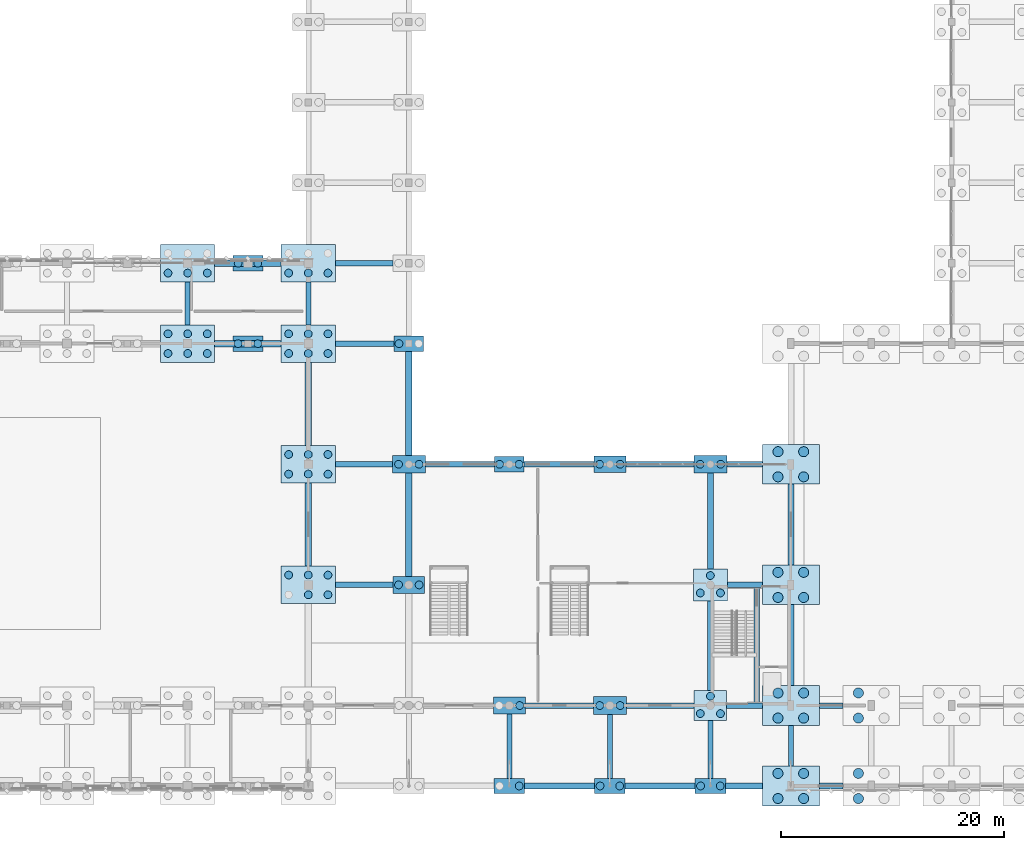
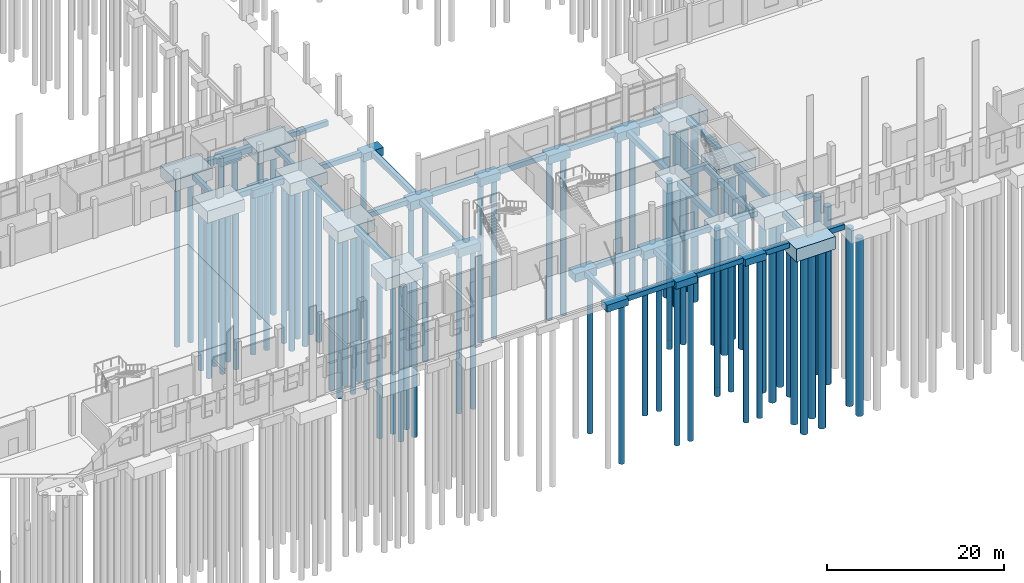
# One storey, part 3 of 109: 78 piles, 59 footings.
"""IFC4 building model written with IfcOpenShell, lengths in metres."""

from ifc_helpers import new_model, si_unit, direction, frame, origin, origin_2d, place, context, subcontext, project, spatial, rectangle, circle, extrude, material, material_profile, profile_set, type_object, element, save


model = new_model("IFC4")

# Units and contexts
model_context = context("Model", 3, precision=1e-05, world=origin(), true_north=direction((0.0, 1.0)))
body_context = subcontext(model_context, "Body", "Model", "MODEL_VIEW")
ifc_project = project(units=[si_unit("LENGTHUNIT", "METRE"), si_unit("AREAUNIT", "SQUARE_METRE"), si_unit("VOLUMEUNIT", "CUBIC_METRE"), si_unit("PLANEANGLEUNIT", "RADIAN"), si_unit("MASSUNIT", "GRAM", prefix="KILO")], contexts=[model_context])

# Site, building, storey
site_placement = place(None, origin())
site = spatial("IfcSite", under=ifc_project, at=site_placement, CompositionType="ELEMENT")
building_placement = place(site_placement, origin())
building = spatial("IfcBuilding", under=site, at=building_placement, Name="Lusvemor Sports Hall", CompositionType="ELEMENT")
storey_placement = place(building_placement, origin())
storey = spatial("IfcBuildingStorey", under=building, at=storey_placement, Name="L00", CompositionType="ELEMENT", Elevation=0.0)

# Footings
ifc_material_1 = material(Name="Concrete C40/50", Category="concrete")
ifc_material_profile_1 = material_profile(ifc_material_1, rectangle(XDim=0.449951171875, YDim=0.64990234375, at=origin_2d()), Name="GB_450x650")
ifc_profile_set_1 = profile_set([ifc_material_profile_1], Name="Concrete C40/50")
footing_type_1 = type_object("IfcFootingType", Name="GBEAM_450x650", PredefinedType="FOOTING_BEAM", material=ifc_profile_set_1)
for number, where, z_axis, x_axis, name in (
    (1, (64.800048828125, 41.27294921875, -0.625), (0.0, 1.0, 0.0), (-1.0, 0.0, 0.0), "Ground Tie Beam 7:E-F"),
    (2, (75.60009765625, 41.27294921875, -0.625), (0.0, 1.0, 0.0), (-1.0, 0.0, 0.0), "Ground Tie Beam 8:E-F"),
):
    element("IfcFooting", number, at=place(storey_placement, frame(where, z_axis=z_axis, x_axis=x_axis)), inside=storey, type_object=footing_type_1, Name=name, PredefinedType="FOOTING_BEAM", context=body_context, shape_type="SweptSolid", body=[
        extrude(rectangle(XDim=0.449951171875, YDim=0.64990234375, at=origin_2d()), origin(), (0.0, 0.0, 1.0), 3.85400390625),
    ])
footing_1_placement = place(storey_placement, frame((93.60009765625, 0.673095703125, -0.625), z_axis=(0.0, 1.0, 0.0), x_axis=(-1.0, 0.0, 0.0)))
element("IfcFooting", 3, at=footing_1_placement, inside=storey, type_object=footing_type_1, Name="Ground Tie Beam 10:A-B", PredefinedType="FOOTING_BEAM", context=body_context, shape_type="SweptSolid", body=[
    extrude(rectangle(XDim=0.449951171875, YDim=0.64990234375, at=origin_2d()), origin(), (0.0, 0.0, 1.0), 5.77880859375),
])
footing_2_placement = place(storey_placement, frame((102.60009765625, 0.673095703125, -0.625), z_axis=(0.0, 1.0, 0.0), x_axis=(-1.0, 0.0, 0.0)))
element("IfcFooting", 4, at=footing_2_placement, inside=storey, type_object=footing_type_1, Name="Ground Tie Beam 11:A-B", PredefinedType="FOOTING_BEAM", context=body_context, shape_type="SweptSolid", body=[
    extrude(rectangle(XDim=0.449951171875, YDim=0.64990234375, at=origin_2d()), origin(), (0.0, 0.0, 1.0), 5.72900390625),
])
footing_3_placement = place(storey_placement, frame((111.60009765625, 0.673095703125, -0.625), z_axis=(0.0, 1.0, 0.0), x_axis=(-1.0, 0.0, 0.0)))
element("IfcFooting", 5, at=footing_3_placement, inside=storey, type_object=footing_type_1, Name="Ground Tie Beam 12:A-B", PredefinedType="FOOTING_BEAM", context=body_context, shape_type="SweptSolid", body=[
    extrude(rectangle(XDim=0.449951171875, YDim=0.64990234375, at=origin_2d()), origin(), (0.0, 0.0, 1.0), 5.178955078125),
])
footing_4_placement = place(storey_placement, frame((118.800048828125, 1.77294921875, -0.625), z_axis=(0.0, 1.0, 0.0), x_axis=(-1.0, 0.0, 0.0)))
element("IfcFooting", 6, at=footing_4_placement, inside=storey, type_object=footing_type_1, Name="Ground Tie Beam 13:A-B", PredefinedType="FOOTING_BEAM", context=body_context, shape_type="SweptSolid", body=[
    extrude(rectangle(XDim=0.449951171875, YDim=0.64990234375, at=origin_2d()), origin(), (0.0, 0.0, 1.0), 3.654052734375),
])
ifc_material_2 = material(Name="Concrete C40/50", Category="concrete")
ifc_material_profile_2 = material_profile(ifc_material_2, rectangle(XDim=0.5, YDim=0.699951171875, at=origin_2d()), Name="GB_500x700")
ifc_profile_set_2 = profile_set([ifc_material_profile_2], Name="Concrete C40/50")
footing_type_2 = type_object("IfcFootingType", Name="GBEAM_500x700", PredefinedType="FOOTING_BEAM", material=ifc_profile_set_2)
for number, where, z_axis, x_axis, name in (
    (7, (94.972900390625, 0.0, -0.64990234375), (1.0, 0.0, 0.0), (0.0, 1.0, 0.0), "Ground Tie Beam A:10-11"),
    (8, (103.972900390625, 0.0, -0.64990234375), (1.0, 0.0, 0.0), (0.0, 1.0, 0.0), "Ground Tie Beam A:11-12"),
):
    element("IfcFooting", number, at=place(storey_placement, frame(where, z_axis=z_axis, x_axis=x_axis)), inside=storey, type_object=footing_type_2, Name=name, PredefinedType="FOOTING_BEAM", context=body_context, shape_type="SweptSolid", body=[
        extrude(rectangle(XDim=0.5, YDim=0.699951171875, at=origin_2d()), origin(), (0.0, 0.0, 1.0), 6.254150390625),
    ])
footing_5_placement = place(storey_placement, frame((112.972900390625, 0.0, -0.64990234375), z_axis=(1.0, 0.0, 0.0), x_axis=(0.0, 1.0, 0.0)))
element("IfcFooting", 9, at=footing_5_placement, inside=storey, type_object=footing_type_2, Name="Ground Tie Beam A:12-13", PredefinedType="FOOTING_BEAM", context=body_context, shape_type="SweptSolid", body=[
    extrude(rectangle(XDim=0.5, YDim=0.699951171875, at=origin_2d()), origin(), (0.0, 0.0, 1.0), 3.279052734375),
])
footing_6_placement = place(storey_placement, frame((121.347900390625, 0.0, -0.64990234375), z_axis=(1.0, 0.0, 0.0), x_axis=(0.0, 1.0, 0.0)))
element("IfcFooting", 10, at=footing_6_placement, inside=storey, type_object=footing_type_2, Name="Ground Tie Beam A:13-14", PredefinedType="FOOTING_BEAM", context=body_context, shape_type="SweptSolid", body=[
    extrude(rectangle(XDim=0.5, YDim=0.699951171875, at=origin_2d()), origin(), (0.0, 0.0, 1.0), 2.10400390625),
])
footing_7_placement = place(storey_placement, frame((95.02294921875, 7.199951171875, -0.64990234375), z_axis=(1.0, 0.0, 0.0), x_axis=(0.0, 1.0, 0.0)))
element("IfcFooting", 11, at=footing_7_placement, inside=storey, type_object=footing_type_2, Name="Ground Tie Beam B:10-11", PredefinedType="FOOTING_BEAM", context=body_context, shape_type="SweptSolid", body=[
    extrude(rectangle(XDim=0.5, YDim=0.699951171875, at=origin_2d()), origin(), (0.0, 0.0, 1.0), 6.10400390625),
])
footing_8_placement = place(storey_placement, frame((104.072998046875, 7.199951171875, -0.64990234375), z_axis=(1.0, 0.0, 0.0), x_axis=(0.0, 1.0, 0.0)))
element("IfcFooting", 12, at=footing_8_placement, inside=storey, type_object=footing_type_2, Name="Ground Tie Beam B:11-12", PredefinedType="FOOTING_BEAM", context=body_context, shape_type="SweptSolid", body=[
    extrude(rectangle(XDim=0.5, YDim=0.699951171875, at=origin_2d()), origin(), (0.0, 0.0, 1.0), 6.0791015625),
])
footing_9_placement = place(storey_placement, frame((113.048095703125, 7.199951171875, -0.64990234375), z_axis=(1.0, 0.0, 0.0), x_axis=(0.0, 1.0, 0.0)))
element("IfcFooting", 13, at=footing_9_placement, inside=storey, type_object=footing_type_2, Name="Ground Tie Beam B:12-13", PredefinedType="FOOTING_BEAM", context=body_context, shape_type="SweptSolid", body=[
    extrude(rectangle(XDim=0.5, YDim=0.699951171875, at=origin_2d()), origin(), (0.0, 0.0, 1.0), 3.203857421875),
])
footing_10_placement = place(storey_placement, frame((121.347900390625, 7.199951171875, -0.64990234375), z_axis=(1.0, 0.0, 0.0), x_axis=(0.0, 1.0, 0.0)))
element("IfcFooting", 14, at=footing_10_placement, inside=storey, type_object=footing_type_2, Name="Ground Tie Beam B:13-14", PredefinedType="FOOTING_BEAM", context=body_context, shape_type="SweptSolid", body=[
    extrude(rectangle(XDim=0.5, YDim=0.699951171875, at=origin_2d()), origin(), (0.0, 0.0, 1.0), 2.10400390625),
])
footing_11_placement = place(storey_placement, frame((78.02294921875, 18.0, -0.64990234375), z_axis=(1.0, 0.0, 0.0), x_axis=(0.0, 1.0, 0.0)))
element("IfcFooting", 15, at=footing_11_placement, inside=storey, type_object=footing_type_2, Name="Ground Tie Beam C:8-9", PredefinedType="FOOTING_BEAM", context=body_context, shape_type="SweptSolid", body=[
    extrude(rectangle(XDim=0.5, YDim=0.699951171875, at=origin_2d()), origin(), (0.0, 0.0, 1.0), 5.154052734375),
])
footing_12_placement = place(storey_placement, frame((113.123046875, 18.0, -0.64990234375), z_axis=(1.0, 0.0, 0.0), x_axis=(0.0, 1.0, 0.0)))
element("IfcFooting", 16, at=footing_12_placement, inside=storey, type_object=footing_type_2, Name="Ground Tie Beam C:12-13", PredefinedType="FOOTING_BEAM", context=body_context, shape_type="SweptSolid", body=[
    extrude(rectangle(XDim=0.5, YDim=0.699951171875, at=origin_2d()), origin(), (0.0, 0.0, 1.0), 3.12890625),
])
footing_13_placement = place(storey_placement, frame((78.02294921875, 28.800048828125, -0.64990234375), z_axis=(1.0, 0.0, 0.0), x_axis=(0.0, 1.0, 0.0)))
element("IfcFooting", 17, at=footing_13_placement, inside=storey, type_object=footing_type_2, Name="Ground Tie Beam D:8-9", PredefinedType="FOOTING_BEAM", context=body_context, shape_type="SweptSolid", body=[
    extrude(rectangle(XDim=0.5, YDim=0.699951171875, at=origin_2d()), origin(), (0.0, 0.0, 1.0), 5.10400390625),
])
footing_14_placement = place(storey_placement, frame((86.072998046875, 28.800048828125, -0.64990234375), z_axis=(1.0, 0.0, 0.0), x_axis=(0.0, 1.0, 0.0)))
element("IfcFooting", 18, at=footing_14_placement, inside=storey, type_object=footing_type_2, Name="Ground Tie Beam D:9-10", PredefinedType="FOOTING_BEAM", context=body_context, shape_type="SweptSolid", body=[
    extrude(rectangle(XDim=0.5, YDim=0.699951171875, at=origin_2d()), origin(), (0.0, 0.0, 1.0), 6.2041015625),
])
footing_15_placement = place(storey_placement, frame((94.923095703125, 28.800048828125, -0.64990234375), z_axis=(1.0, 0.0, 0.0), x_axis=(0.0, 1.0, 0.0)))
element("IfcFooting", 19, at=footing_15_placement, inside=storey, type_object=footing_type_2, Name="Ground Tie Beam D:10-11", PredefinedType="FOOTING_BEAM", context=body_context, shape_type="SweptSolid", body=[
    extrude(rectangle(XDim=0.5, YDim=0.699951171875, at=origin_2d()), origin(), (0.0, 0.0, 1.0), 6.25390625),
])
footing_16_placement = place(storey_placement, frame((104.02294921875, 28.800048828125, -0.64990234375), z_axis=(1.0, 0.0, 0.0), x_axis=(0.0, 1.0, 0.0)))
element("IfcFooting", 20, at=footing_16_placement, inside=storey, type_object=footing_type_2, Name="Ground Tie Beam D:11-12", PredefinedType="FOOTING_BEAM", context=body_context, shape_type="SweptSolid", body=[
    extrude(rectangle(XDim=0.5, YDim=0.699951171875, at=origin_2d()), origin(), (0.0, 0.0, 1.0), 6.10400390625),
])
footing_17_placement = place(storey_placement, frame((113.072998046875, 28.800048828125, -0.64990234375), z_axis=(1.0, 0.0, 0.0), x_axis=(0.0, 1.0, 0.0)))
element("IfcFooting", 21, at=footing_17_placement, inside=storey, type_object=footing_type_2, Name="Ground Tie Beam D:12-13", PredefinedType="FOOTING_BEAM", context=body_context, shape_type="SweptSolid", body=[
    extrude(rectangle(XDim=0.5, YDim=0.699951171875, at=origin_2d()), origin(), (0.0, 0.0, 1.0), 3.178955078125),
])
footing_18_placement = place(storey_placement, frame((78.02294921875, 39.60009765625, -0.64990234375), z_axis=(1.0, 0.0, 0.0), x_axis=(0.0, 1.0, 0.0)))
element("IfcFooting", 22, at=footing_18_placement, inside=storey, type_object=footing_type_2, Name="Ground Tie Beam E:8-9", PredefinedType="FOOTING_BEAM", context=body_context, shape_type="SweptSolid", body=[
    extrude(rectangle(XDim=0.5, YDim=0.699951171875, at=origin_2d()), origin(), (0.0, 0.0, 1.0), 5.254150390625),
])
footing_19_placement = place(storey_placement, frame((78.02294921875, 46.800048828125, -0.64990234375), z_axis=(1.0, 0.0, 0.0), x_axis=(0.0, 1.0, 0.0)))
element("IfcFooting", 23, at=footing_19_placement, inside=storey, type_object=footing_type_2, Name="Ground Tie Beam F:8-9", PredefinedType="FOOTING_BEAM", context=body_context, shape_type="SweptSolid", body=[
    extrude(rectangle(XDim=0.5, YDim=0.699951171875, at=origin_2d()), origin(), (0.0, 0.0, 1.0), 5.154052734375),
])
footing_20_placement = place(storey_placement, frame((115.75, 7.199951171875, -0.64990234375), z_axis=(0.0, 1.0, 0.0), x_axis=(-1.0, 0.0, 0.0)))
element("IfcFooting", 24, at=footing_20_placement, inside=storey, type_object=footing_type_2, Name="Core C7 Central Foyer Divider Ground Beam", PredefinedType="FOOTING_BEAM", context=body_context, shape_type="SweptSolid", body=[
    extrude(rectangle(XDim=0.5, YDim=0.699951171875, at=origin_2d()), origin(), (0.0, 0.0, 1.0), 10.800048828125),
])
ifc_material_3 = material(Name="Concrete C40/50", Category="concrete")
ifc_material_profile_3 = material_profile(ifc_material_3, rectangle(XDim=0.550048828125, YDim=0.75, at=origin_2d()), Name="GB_550x750")
ifc_profile_set_3 = profile_set([ifc_material_profile_3], Name="Concrete C40/50")
footing_type_3 = type_object("IfcFootingType", Name="GBEAM_550x750", PredefinedType="FOOTING_BEAM", material=ifc_profile_set_3)
footing_21_placement = place(storey_placement, frame((75.60009765625, 19.673095703125, -0.675048828125), z_axis=(0.0, 1.0, 0.0), x_axis=(-1.0, 0.0, 0.0)))
element("IfcFooting", 25, at=footing_21_placement, inside=storey, type_object=footing_type_3, Name="Ground Tie Beam 8:C-D", PredefinedType="FOOTING_BEAM", context=body_context, shape_type="SweptSolid", body=[
    extrude(rectangle(XDim=0.550048828125, YDim=0.75, at=origin_2d()), origin(), (0.0, 0.0, 1.0), 7.453857421875),
])
footing_22_placement = place(storey_placement, frame((75.60009765625, 30.472900390625, -0.675048828125), z_axis=(0.0, 1.0, 0.0), x_axis=(-1.0, 0.0, 0.0)))
element("IfcFooting", 26, at=footing_22_placement, inside=storey, type_object=footing_type_3, Name="Ground Tie Beam 8:D-E", PredefinedType="FOOTING_BEAM", context=body_context, shape_type="SweptSolid", body=[
    extrude(rectangle(XDim=0.550048828125, YDim=0.75, at=origin_2d()), origin(), (0.0, 0.0, 1.0), 7.4541015625),
])
footing_23_placement = place(storey_placement, frame((84.60009765625, 18.748046875, -0.675048828125), z_axis=(0.0, 1.0, 0.0), x_axis=(-1.0, 0.0, 0.0)))
element("IfcFooting", 27, at=footing_23_placement, inside=storey, type_object=footing_type_3, Name="Ground Tie Beam 9:C-D", PredefinedType="FOOTING_BEAM", context=body_context, shape_type="SweptSolid", body=[
    extrude(rectangle(XDim=0.550048828125, YDim=0.75, at=origin_2d()), origin(), (0.0, 0.0, 1.0), 9.25390625),
])
footing_24_placement = place(storey_placement, frame((84.60009765625, 29.597900390625, -0.675048828125), z_axis=(0.0, 1.0, 0.0), x_axis=(-1.0, 0.0, 0.0)))
element("IfcFooting", 28, at=footing_24_placement, inside=storey, type_object=footing_type_3, Name="Ground Tie Beam 9:D-E", PredefinedType="FOOTING_BEAM", context=body_context, shape_type="SweptSolid", body=[
    extrude(rectangle(XDim=0.550048828125, YDim=0.75, at=origin_2d()), origin(), (0.0, 0.0, 1.0), 9.30419921875),
])
footing_25_placement = place(storey_placement, frame((111.60009765625, 8.548095703125, -0.675048828125), z_axis=(0.0, 1.0, 0.0), x_axis=(-1.0, 0.0, 0.0)))
element("IfcFooting", 29, at=footing_25_placement, inside=storey, type_object=footing_type_3, Name="Ground Tie Beam 12:B-C", PredefinedType="FOOTING_BEAM", context=body_context, shape_type="SweptSolid", body=[
    extrude(rectangle(XDim=0.550048828125, YDim=0.75, at=origin_2d()), origin(), (0.0, 0.0, 1.0), 8.02880859375),
])
footing_26_placement = place(storey_placement, frame((111.60009765625, 19.423095703125, -0.675048828125), z_axis=(0.0, 1.0, 0.0), x_axis=(-1.0, 0.0, 0.0)))
element("IfcFooting", 30, at=footing_26_placement, inside=storey, type_object=footing_type_3, Name="Ground Tie Beam 12:C-D", PredefinedType="FOOTING_BEAM", context=body_context, shape_type="SweptSolid", body=[
    extrude(rectangle(XDim=0.550048828125, YDim=0.75, at=origin_2d()), origin(), (0.0, 0.0, 1.0), 8.578857421875),
])
for number, where, z_axis, x_axis, name in (
    (31, (118.800048828125, 8.972900390625, -0.675048828125), (0.0, 1.0, 0.0), (-1.0, 0.0, 0.0), "Ground Tie Beam 13:B-C"),
    (32, (118.800048828125, 19.77294921875, -0.675048828125), (0.0, 1.0, 0.0), (-1.0, 0.0, 0.0), "Ground Tie Beam 13:C-D"),
):
    element("IfcFooting", number, at=place(storey_placement, frame(where, z_axis=z_axis, x_axis=x_axis)), inside=storey, type_object=footing_type_3, Name=name, PredefinedType="FOOTING_BEAM", context=body_context, shape_type="SweptSolid", body=[
        extrude(rectangle(XDim=0.550048828125, YDim=0.75, at=origin_2d()), origin(), (0.0, 0.0, 1.0), 7.254150390625),
    ])
ifc_material_4 = material(Name="Concrete C40/50", Category="concrete")
ifc_material_profile_4 = material_profile(ifc_material_4, rectangle(XDim=0.60009765625, YDim=0.800048828125, at=origin_2d()), Name="GB_600x800")
ifc_profile_set_4 = profile_set([ifc_material_profile_4], Name="Concrete C40/50")
footing_type_4 = type_object("IfcFootingType", Name="GBEAM_600x800", PredefinedType="FOOTING_BEAM", material=ifc_profile_set_4)
for number, where, z_axis, x_axis, name in (
    (33, (67.222900390625, 39.60009765625, -0.699951171875), (1.0, 0.0, 0.0), (0.0, 1.0, 0.0), "Ground Tie Beam E:7-8"),
    (34, (67.222900390625, 46.800048828125, -0.699951171875), (1.0, 0.0, 0.0), (0.0, 1.0, 0.0), "Ground Tie Beam F:7-8"),
):
    element("IfcFooting", number, at=place(storey_placement, frame(where, z_axis=z_axis, x_axis=x_axis)), inside=storey, type_object=footing_type_4, Name=name, PredefinedType="FOOTING_BEAM", context=body_context, shape_type="SweptSolid", body=[
        extrude(rectangle(XDim=0.60009765625, YDim=0.800048828125, at=origin_2d()), origin(), (0.0, 0.0, 1.0), 5.9541015625),
    ])
ifc_material_5 = material(Name="Concrete C40/50", Category="concrete")
footing_type_5 = type_object("IfcFootingType", Name="PCAP_2P_A", PredefinedType="PILE_CAP", material=ifc_material_5)
for number, where, z_axis, x_axis, name in (
    (35, (84.60009765625, 39.60009765625, -1.400146484375), (0.0, 0.0, 1.0), (1.0, 0.0, 0.0), "Pile Cap 9/E"),
    (36, (93.60009765625, 28.800048828125, -1.400146484375), (0.0, 0.0, 1.0), (1.0, 0.0, 0.0), "Pile Cap 10/D"),
    (37, (70.199951171875, 46.800048828125, -1.400146484375), (0.0, 0.0, 1.0), (1.0, 0.0, 0.0), "Wave Courtyard Cap N7"),
    (38, (70.199951171875, 39.60009765625, -1.400146484375), (0.0, 0.0, 1.0), (1.0, 0.0, 0.0), "Wave Mid-Bay Cap N7"),
):
    element("IfcFooting", number, at=place(storey_placement, frame(where, z_axis=z_axis, x_axis=x_axis)), inside=storey, type_object=footing_type_5, Name=name, PredefinedType="PILE_CAP", context=body_context, shape_type="SweptSolid", body=[
        extrude(rectangle(XDim=2.64990234375, YDim=1.39990234375, at=origin_2d()), origin(), (0.0, 0.0, 1.0), 1.10009765625),
    ])
ifc_material_6 = material(Name="Concrete C40/50", Category="concrete")
footing_type_6 = type_object("IfcFootingType", Name="PCAP_2P_B", PredefinedType="PILE_CAP", material=ifc_material_6)
for number, where, z_axis, x_axis, name in (
    (39, (84.60009765625, 18.0, -1.449951171875), (0.0, 0.0, 1.0), (1.0, 0.0, 0.0), "Pile Cap 9/C"),
    (40, (93.60009765625, 7.199951171875, -1.449951171875), (0.0, 0.0, 1.0), (1.0, 0.0, 0.0), "Pile Cap 10/B"),
    (41, (102.60009765625, 28.800048828125, -1.449951171875), (0.0, 0.0, 1.0), (1.0, 0.0, 0.0), "Pile Cap 11/D"),
):
    element("IfcFooting", number, at=place(storey_placement, frame(where, z_axis=z_axis, x_axis=x_axis)), inside=storey, type_object=footing_type_6, Name=name, PredefinedType="PILE_CAP", context=body_context, shape_type="SweptSolid", body=[
        extrude(rectangle(XDim=2.85009765625, YDim=1.5, at=origin_2d()), origin(), (0.0, 0.0, 1.0), 1.14990234375),
    ])
ifc_material_7 = material(Name="Concrete C40/50", Category="concrete")
footing_type_7 = type_object("IfcFootingType", Name="PCAP_2P_C", PredefinedType="PILE_CAP", material=ifc_material_7)
for number, where, z_axis, x_axis, name in (
    (42, (84.60009765625, 28.800048828125, -1.5), (0.0, 0.0, 1.0), (1.0, 0.0, 0.0), "Pile Cap 9/D"),
    (43, (102.60009765625, 7.199951171875, -1.5), (0.0, 0.0, 1.0), (1.0, 0.0, 0.0), "Pile Cap 11/B"),
    (44, (111.60009765625, 28.800048828125, -1.5), (0.0, 0.0, 1.0), (1.0, 0.0, 0.0), "Pile Cap 12/D"),
):
    element("IfcFooting", number, at=place(storey_placement, frame(where, z_axis=z_axis, x_axis=x_axis)), inside=storey, type_object=footing_type_7, Name=name, PredefinedType="PILE_CAP", context=body_context, shape_type="SweptSolid", body=[
        extrude(rectangle(XDim=2.949951171875, YDim=1.60009765625, at=origin_2d()), origin(), (0.0, 0.0, 1.0), 1.199951171875),
    ])
ifc_material_8 = material(Name="Concrete C40/50", Category="concrete")
footing_type_8 = type_object("IfcFootingType", Name="PCAP_2P_CAN", PredefinedType="PILE_CAP", material=ifc_material_8)
for number, where, z_axis, x_axis, name in (
    (45, (93.60009765625, 0.0, -1.25), (0.0, 0.0, 1.0), (1.0, 0.0, 0.0), "Pile Cap 10/A"),
    (46, (102.60009765625, 0.0, -1.25), (0.0, 0.0, 1.0), (1.0, 0.0, 0.0), "Pile Cap 11/A"),
    (47, (111.60009765625, 0.0, -1.25), (0.0, 0.0, 1.0), (1.0, 0.0, 0.0), "Pile Cap 12/A"),
):
    element("IfcFooting", number, at=place(storey_placement, frame(where, z_axis=z_axis, x_axis=x_axis)), inside=storey, type_object=footing_type_8, Name=name, PredefinedType="PILE_CAP", context=body_context, shape_type="SweptSolid", body=[
        extrude(rectangle(XDim=2.75, YDim=1.35009765625, at=origin_2d()), origin(), (0.0, 0.0, 1.0), 0.949951171875),
    ])
ifc_material_9 = material(Name="Concrete C40/50", Category="concrete")
footing_type_9 = type_object("IfcFootingType", Name="PCAP_3P_A", PredefinedType="PILE_CAP", material=ifc_material_9)
footing_27_placement = place(storey_placement, frame((111.60009765625, 7.199951171875, -1.550048828125), z_axis=(0.0, 0.0, 1.0), x_axis=(1.0, 0.0, 0.0)))
element("IfcFooting", 48, at=footing_27_placement, inside=storey, type_object=footing_type_9, Name="Pile Cap 12/B", PredefinedType="PILE_CAP", context=body_context, shape_type="SweptSolid", body=[
    extrude(rectangle(XDim=2.89990234375, YDim=2.699951171875, at=origin_2d()), origin(), (0.0, 0.0, 1.0), 1.25),
])
ifc_material_10 = material(Name="Concrete C40/50", Category="concrete")
footing_type_10 = type_object("IfcFootingType", Name="PCAP_3P_B", PredefinedType="PILE_CAP", material=ifc_material_10)
footing_28_placement = place(storey_placement, frame((111.60009765625, 18.0, -1.60009765625), z_axis=(0.0, 0.0, 1.0), x_axis=(1.0, 0.0, 0.0)))
element("IfcFooting", 49, at=footing_28_placement, inside=storey, type_object=footing_type_10, Name="Pile Cap 12/C", PredefinedType="PILE_CAP", context=body_context, shape_type="SweptSolid", body=[
    extrude(rectangle(XDim=3.050048828125, YDim=2.85009765625, at=origin_2d()), origin(), (0.0, 0.0, 1.0), 1.300048828125),
])
ifc_material_11 = material(Name="Concrete C40/50", Category="concrete")
footing_type_11 = type_object("IfcFootingType", Name="PCAP_4P_PT", PredefinedType="PILE_CAP", material=ifc_material_11)
for number, where, z_axis, x_axis, name in (
    (50, (118.800048828125, 0.0, -2.050048828125), (0.0, 0.0, 1.0), (1.0, 0.0, 0.0), "Pile Cap 13/A"),
    (51, (118.800048828125, 7.199951171875, -2.050048828125), (0.0, 0.0, 1.0), (1.0, 0.0, 0.0), "Pile Cap 13/B"),
    (52, (118.800048828125, 18.0, -2.050048828125), (0.0, 0.0, 1.0), (1.0, 0.0, 0.0), "Pile Cap 13/C"),
    (53, (118.800048828125, 28.800048828125, -2.050048828125), (0.0, 0.0, 1.0), (1.0, 0.0, 0.0), "Pile Cap 13/D"),
):
    element("IfcFooting", number, at=place(storey_placement, frame(where, z_axis=z_axis, x_axis=x_axis)), inside=storey, type_object=footing_type_11, Name=name, PredefinedType="PILE_CAP", context=body_context, shape_type="SweptSolid", body=[
        extrude(rectangle(XDim=5.10009765625, YDim=3.550048828125, at=origin_2d()), origin(), (0.0, 0.0, 1.0), 1.75),
    ])
ifc_material_12 = material(Name="Concrete C40/50", Category="concrete")
footing_type_12 = type_object("IfcFootingType", Name="PCAP_6P_HALL", PredefinedType="PILE_CAP", material=ifc_material_12)
for number, where, z_axis, x_axis, name in (
    (54, (64.800048828125, 39.60009765625, -1.949951171875), (0.0, 0.0, 1.0), (1.0, 0.0, 0.0), "Pile Cap 7/E"),
    (55, (64.800048828125, 46.800048828125, -1.949951171875), (0.0, 0.0, 1.0), (1.0, 0.0, 0.0), "Pile Cap 7/F"),
    (56, (75.60009765625, 18.0, -1.949951171875), (0.0, 0.0, 1.0), (1.0, 0.0, 0.0), "Pile Cap 8/C"),
    (57, (75.60009765625, 28.800048828125, -1.949951171875), (0.0, 0.0, 1.0), (1.0, 0.0, 0.0), "Pile Cap 8/D"),
    (58, (75.60009765625, 39.60009765625, -1.949951171875), (0.0, 0.0, 1.0), (1.0, 0.0, 0.0), "Pile Cap 8/E"),
    (59, (75.60009765625, 46.800048828125, -1.949951171875), (0.0, 0.0, 1.0), (1.0, 0.0, 0.0), "Pile Cap 8/F"),
):
    element("IfcFooting", number, at=place(storey_placement, frame(where, z_axis=z_axis, x_axis=x_axis)), inside=storey, type_object=footing_type_12, Name=name, PredefinedType="PILE_CAP", context=body_context, shape_type="SweptSolid", body=[
        extrude(rectangle(XDim=4.85009765625, YDim=3.35009765625, at=origin_2d()), origin(), (0.0, 0.0, 1.0), 1.64990234375),
    ])

# Piles
ifc_material_13 = material(Name="Concrete C40/50", Category="concrete")
ifc_material_profile_5 = material_profile(ifc_material_13, circle(Radius=0.35009765625, at=origin_2d()), Name="PILE700")
ifc_profile_set_5 = profile_set([ifc_material_profile_5], Name="Concrete C40/50")
pile_type_1 = type_object("IfcPileType", Name="PILE_BORED_700", PredefinedType="BORED", material=ifc_profile_set_5)
for number, where, z_axis, x_axis, name in (
    (60, (63.0400390625, 38.719970703125, -1.85009765625), (0.0, 0.0, -1.0), (1.0, 0.0, 0.0), "Bored Pile 7/E-1"),
    (61, (64.800048828125, 38.719970703125, -1.85009765625), (0.0, 0.0, -1.0), (1.0, 0.0, 0.0), "Bored Pile 7/E-2"),
    (62, (66.56005859375, 38.719970703125, -1.85009765625), (0.0, 0.0, -1.0), (1.0, 0.0, 0.0), "Bored Pile 7/E-3"),
    (63, (63.0400390625, 40.47998046875, -1.85009765625), (0.0, 0.0, -1.0), (1.0, 0.0, 0.0), "Bored Pile 7/E-4"),
    (64, (64.800048828125, 40.47998046875, -1.85009765625), (0.0, 0.0, -1.0), (1.0, 0.0, 0.0), "Bored Pile 7/E-5"),
    (65, (66.56005859375, 40.47998046875, -1.85009765625), (0.0, 0.0, -1.0), (1.0, 0.0, 0.0), "Bored Pile 7/E-6"),
    (66, (63.0400390625, 45.919921875, -1.85009765625), (0.0, 0.0, -1.0), (1.0, 0.0, 0.0), "Bored Pile 7/F-1"),
    (67, (64.800048828125, 45.919921875, -1.85009765625), (0.0, 0.0, -1.0), (1.0, 0.0, 0.0), "Bored Pile 7/F-2"),
    (68, (66.56005859375, 45.919921875, -1.85009765625), (0.0, 0.0, -1.0), (1.0, 0.0, 0.0), "Bored Pile 7/F-3"),
    (69, (75.60009765625, 17.1201171875, -1.85009765625), (0.0, 0.0, -1.0), (1.0, 0.0, 0.0), "Bored Pile 8/C-2"),
    (70, (77.360107421875, 17.1201171875, -1.85009765625), (0.0, 0.0, -1.0), (1.0, 0.0, 0.0), "Bored Pile 8/C-3"),
    (71, (73.840087890625, 18.8798828125, -1.85009765625), (0.0, 0.0, -1.0), (1.0, 0.0, 0.0), "Bored Pile 8/C-4"),
    (72, (75.60009765625, 18.8798828125, -1.85009765625), (0.0, 0.0, -1.0), (1.0, 0.0, 0.0), "Bored Pile 8/C-5"),
    (73, (77.360107421875, 18.8798828125, -1.85009765625), (0.0, 0.0, -1.0), (1.0, 0.0, 0.0), "Bored Pile 8/C-6"),
    (74, (73.840087890625, 27.919921875, -1.85009765625), (0.0, 0.0, -1.0), (1.0, 0.0, 0.0), "Bored Pile 8/D-1"),
    (75, (75.60009765625, 27.919921875, -1.85009765625), (0.0, 0.0, -1.0), (1.0, 0.0, 0.0), "Bored Pile 8/D-2"),
    (76, (77.360107421875, 27.919921875, -1.85009765625), (0.0, 0.0, -1.0), (1.0, 0.0, 0.0), "Bored Pile 8/D-3"),
    (77, (73.840087890625, 29.679931640625, -1.85009765625), (0.0, 0.0, -1.0), (1.0, 0.0, 0.0), "Bored Pile 8/D-4"),
    (78, (75.60009765625, 29.679931640625, -1.85009765625), (0.0, 0.0, -1.0), (1.0, 0.0, 0.0), "Bored Pile 8/D-5"),
    (79, (77.360107421875, 29.679931640625, -1.85009765625), (0.0, 0.0, -1.0), (1.0, 0.0, 0.0), "Bored Pile 8/D-6"),
    (80, (73.840087890625, 38.719970703125, -1.85009765625), (0.0, 0.0, -1.0), (1.0, 0.0, 0.0), "Bored Pile 8/E-1"),
    (81, (75.60009765625, 38.719970703125, -1.85009765625), (0.0, 0.0, -1.0), (1.0, 0.0, 0.0), "Bored Pile 8/E-2"),
    (82, (77.360107421875, 38.719970703125, -1.85009765625), (0.0, 0.0, -1.0), (1.0, 0.0, 0.0), "Bored Pile 8/E-3"),
    (83, (73.840087890625, 40.47998046875, -1.85009765625), (0.0, 0.0, -1.0), (1.0, 0.0, 0.0), "Bored Pile 8/E-4"),
    (84, (75.60009765625, 40.47998046875, -1.85009765625), (0.0, 0.0, -1.0), (1.0, 0.0, 0.0), "Bored Pile 8/E-5"),
    (85, (77.360107421875, 40.47998046875, -1.85009765625), (0.0, 0.0, -1.0), (1.0, 0.0, 0.0), "Bored Pile 8/E-6"),
    (86, (73.840087890625, 45.919921875, -1.85009765625), (0.0, 0.0, -1.0), (1.0, 0.0, 0.0), "Bored Pile 8/F-1"),
    (87, (75.60009765625, 45.919921875, -1.85009765625), (0.0, 0.0, -1.0), (1.0, 0.0, 0.0), "Bored Pile 8/F-2"),
    (88, (77.360107421875, 45.919921875, -1.85009765625), (0.0, 0.0, -1.0), (1.0, 0.0, 0.0), "Bored Pile 8/F-3"),
    (89, (83.679931640625, 18.0, -1.35009765625), (0.0, 0.0, -1.0), (1.0, 0.0, 0.0), "Bored Pile 9/C-1"),
    (90, (85.52001953125, 18.0, -1.35009765625), (0.0, 0.0, -1.0), (1.0, 0.0, 0.0), "Bored Pile 9/C-2"),
    (91, (83.679931640625, 28.800048828125, -1.39990234375), (0.0, 0.0, -1.0), (1.0, 0.0, 0.0), "Bored Pile 9/D-1"),
    (92, (85.52001953125, 28.800048828125, -1.39990234375), (0.0, 0.0, -1.0), (1.0, 0.0, 0.0), "Bored Pile 9/D-2"),
    (93, (83.719970703125, 39.60009765625, -1.300048828125), (0.0, 0.0, -1.0), (1.0, 0.0, 0.0), "Bored Pile 9/E-1"),
    (94, (94.47998046875, 0.0, -1.14990234375), (0.0, 0.0, -1.0), (1.0, 0.0, 0.0), "Bored Pile 10/A-2"),
    (95, (94.52001953125, 7.199951171875, -1.35009765625), (0.0, 0.0, -1.0), (1.0, 0.0, 0.0), "Bored Pile 10/B-2"),
    (96, (92.719970703125, 28.800048828125, -1.300048828125), (0.0, 0.0, -1.0), (1.0, 0.0, 0.0), "Bored Pile 10/D-1"),
    (97, (94.47998046875, 28.800048828125, -1.300048828125), (0.0, 0.0, -1.0), (1.0, 0.0, 0.0), "Bored Pile 10/D-2"),
    (98, (101.719970703125, 0.0, -1.14990234375), (0.0, 0.0, -1.0), (1.0, 0.0, 0.0), "Bored Pile 11/A-1"),
    (99, (103.47998046875, 0.0, -1.14990234375), (0.0, 0.0, -1.0), (1.0, 0.0, 0.0), "Bored Pile 11/A-2"),
    (100, (101.679931640625, 7.199951171875, -1.39990234375), (0.0, 0.0, -1.0), (1.0, 0.0, 0.0), "Bored Pile 11/B-1"),
    (101, (103.52001953125, 7.199951171875, -1.39990234375), (0.0, 0.0, -1.0), (1.0, 0.0, 0.0), "Bored Pile 11/B-2"),
    (102, (101.679931640625, 28.800048828125, -1.35009765625), (0.0, 0.0, -1.0), (1.0, 0.0, 0.0), "Bored Pile 11/D-1"),
    (103, (103.52001953125, 28.800048828125, -1.35009765625), (0.0, 0.0, -1.0), (1.0, 0.0, 0.0), "Bored Pile 11/D-2"),
    (104, (110.719970703125, 0.0, -1.14990234375), (0.0, 0.0, -1.0), (1.0, 0.0, 0.0), "Bored Pile 12/A-1"),
    (105, (112.47998046875, 0.0, -1.14990234375), (0.0, 0.0, -1.0), (1.0, 0.0, 0.0), "Bored Pile 12/A-2"),
    (106, (110.699951171875, 6.47998046875, -1.449951171875), (0.0, 0.0, -1.0), (1.0, 0.0, 0.0), "Bored Pile 12/B-1"),
    (107, (112.5, 6.47998046875, -1.449951171875), (0.0, 0.0, -1.0), (1.0, 0.0, 0.0), "Bored Pile 12/B-2"),
    (108, (111.60009765625, 8.0400390625, -1.449951171875), (0.0, 0.0, -1.0), (1.0, 0.0, 0.0), "Bored Pile 12/B-3"),
    (109, (110.699951171875, 17.280029296875, -1.5), (0.0, 0.0, -1.0), (1.0, 0.0, 0.0), "Bored Pile 12/C-1"),
    (110, (112.5, 17.280029296875, -1.5), (0.0, 0.0, -1.0), (1.0, 0.0, 0.0), "Bored Pile 12/C-2"),
    (111, (111.60009765625, 18.840087890625, -1.5), (0.0, 0.0, -1.0), (1.0, 0.0, 0.0), "Bored Pile 12/C-3"),
    (112, (110.679931640625, 28.800048828125, -1.39990234375), (0.0, 0.0, -1.0), (1.0, 0.0, 0.0), "Bored Pile 12/D-1"),
    (113, (112.52001953125, 28.800048828125, -1.39990234375), (0.0, 0.0, -1.0), (1.0, 0.0, 0.0), "Bored Pile 12/D-2"),
    (114, (69.320068359375, 46.800048828125, -1.300048828125), (0.0, 0.0, -1.0), (1.0, 0.0, 0.0), "Wave Courtyard Pile N7-1"),
    (115, (71.080078125, 46.800048828125, -1.300048828125), (0.0, 0.0, -1.0), (1.0, 0.0, 0.0), "Wave Courtyard Pile N7-2"),
    (116, (69.320068359375, 39.60009765625, -1.300048828125), (0.0, 0.0, -1.0), (1.0, 0.0, 0.0), "Wave Mid-Bay Pile N7-1"),
    (117, (71.080078125, 39.60009765625, -1.300048828125), (0.0, 0.0, -1.0), (1.0, 0.0, 0.0), "Wave Mid-Bay Pile N7-2"),
):
    element("IfcPile", number, at=place(storey_placement, frame(where, z_axis=z_axis, x_axis=x_axis)), inside=storey, type_object=pile_type_1, Name=name, PredefinedType="BORED", context=body_context, shape_type="SweptSolid", body=[
        extrude(circle(Radius=0.35009765625, at=origin_2d()), origin(), (0.0, 0.0, 1.0), 22.0),
    ])
ifc_material_14 = material(Name="Concrete C40/50", Category="concrete")
ifc_material_profile_6 = material_profile(ifc_material_14, circle(Radius=0.449951171875, at=origin_2d()), Name="PILE900")
ifc_profile_set_6 = profile_set([ifc_material_profile_6], Name="Concrete C40/50")
pile_type_2 = type_object("IfcPileType", Name="PILE_BORED_900", PredefinedType="BORED", material=ifc_profile_set_6)
for number, where, z_axis, x_axis, name in (
    (118, (117.64990234375, -1.125, -1.949951171875), (0.0, 0.0, -1.0), (1.0, 0.0, 0.0), "Bored Pile 13/A-1"),
    (119, (119.949951171875, -1.125, -1.949951171875), (0.0, 0.0, -1.0), (1.0, 0.0, 0.0), "Bored Pile 13/A-2"),
    (120, (117.64990234375, 1.125, -1.949951171875), (0.0, 0.0, -1.0), (1.0, 0.0, 0.0), "Bored Pile 13/A-3"),
    (121, (119.949951171875, 1.125, -1.949951171875), (0.0, 0.0, -1.0), (1.0, 0.0, 0.0), "Bored Pile 13/A-4"),
    (122, (117.64990234375, 6.074951171875, -1.949951171875), (0.0, 0.0, -1.0), (1.0, 0.0, 0.0), "Bored Pile 13/B-1"),
    (123, (119.949951171875, 6.074951171875, -1.949951171875), (0.0, 0.0, -1.0), (1.0, 0.0, 0.0), "Bored Pile 13/B-2"),
    (124, (117.64990234375, 8.324951171875, -1.949951171875), (0.0, 0.0, -1.0), (1.0, 0.0, 0.0), "Bored Pile 13/B-3"),
    (125, (119.949951171875, 8.324951171875, -1.949951171875), (0.0, 0.0, -1.0), (1.0, 0.0, 0.0), "Bored Pile 13/B-4"),
    (126, (117.64990234375, 16.875, -1.949951171875), (0.0, 0.0, -1.0), (1.0, 0.0, 0.0), "Bored Pile 13/C-1"),
    (127, (119.949951171875, 16.875, -1.949951171875), (0.0, 0.0, -1.0), (1.0, 0.0, 0.0), "Bored Pile 13/C-2"),
    (128, (117.64990234375, 19.125, -1.949951171875), (0.0, 0.0, -1.0), (1.0, 0.0, 0.0), "Bored Pile 13/C-3"),
    (129, (119.949951171875, 19.125, -1.949951171875), (0.0, 0.0, -1.0), (1.0, 0.0, 0.0), "Bored Pile 13/C-4"),
    (130, (117.64990234375, 27.675048828125, -1.949951171875), (0.0, 0.0, -1.0), (1.0, 0.0, 0.0), "Bored Pile 13/D-1"),
    (131, (119.949951171875, 27.675048828125, -1.949951171875), (0.0, 0.0, -1.0), (1.0, 0.0, 0.0), "Bored Pile 13/D-2"),
    (132, (117.64990234375, 29.925048828125, -1.949951171875), (0.0, 0.0, -1.0), (1.0, 0.0, 0.0), "Bored Pile 13/D-3"),
    (133, (119.949951171875, 29.925048828125, -1.949951171875), (0.0, 0.0, -1.0), (1.0, 0.0, 0.0), "Bored Pile 13/D-4"),
    (134, (124.85009765625, -1.125, -1.949951171875), (0.0, 0.0, -1.0), (1.0, 0.0, 0.0), "Bored Pile 14/A-1"),
    (135, (124.85009765625, 1.125, -1.949951171875), (0.0, 0.0, -1.0), (1.0, 0.0, 0.0), "Bored Pile 14/A-3"),
    (136, (124.85009765625, 6.074951171875, -1.949951171875), (0.0, 0.0, -1.0), (1.0, 0.0, 0.0), "Bored Pile 14/B-1"),
    (137, (124.85009765625, 8.324951171875, -1.949951171875), (0.0, 0.0, -1.0), (1.0, 0.0, 0.0), "Bored Pile 14/B-3"),
):
    element("IfcPile", number, at=place(storey_placement, frame(where, z_axis=z_axis, x_axis=x_axis)), inside=storey, type_object=pile_type_2, Name=name, PredefinedType="BORED", context=body_context, shape_type="SweptSolid", body=[
        extrude(circle(Radius=0.449951171875, at=origin_2d()), origin(), (0.0, 0.0, 1.0), 24.5),
    ])

save(model, "model.ifc")
